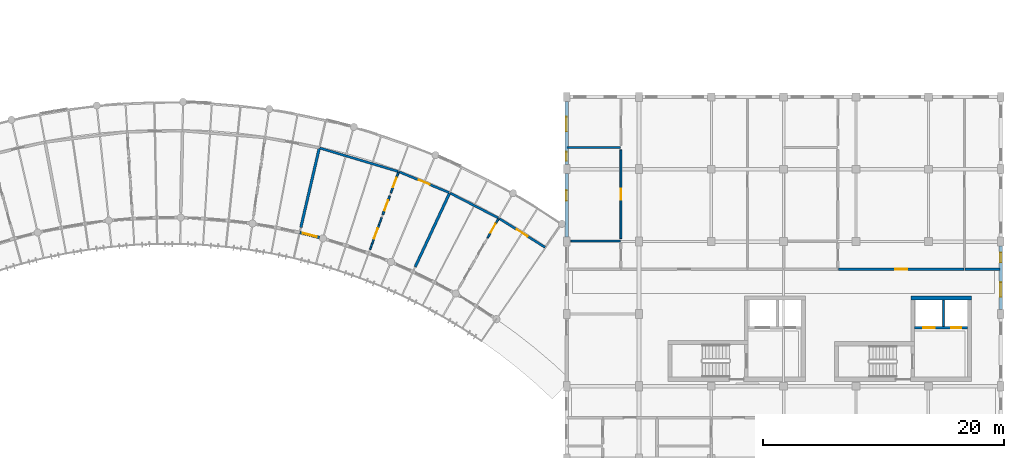
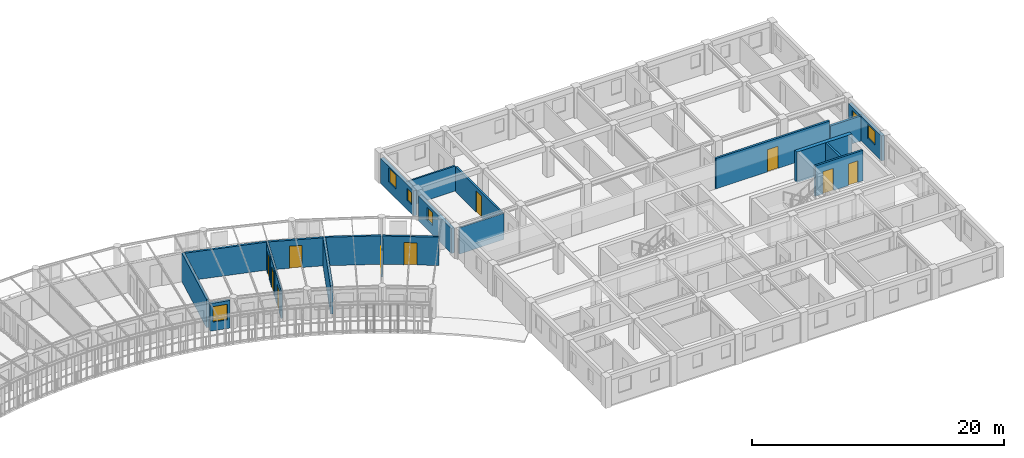
# One storey, part 80 of 100: 22 walls, 10 doors, 6 windows, 16 openings.
"""IFC4 building model written with IfcOpenShell, lengths in metres."""

from ifc_helpers import new_model, si_unit, direction, frame, frame_2d, origin, place, context, subcontext, project, spatial, rectangle, extrude, material, layer, layer_set, type_object, element, fill, save


model = new_model("IFC4")

# Units and contexts
model_context = context("Model", 3, precision=1e-05, world=origin(), true_north=direction((0.0, 1.0)))
body_context = subcontext(model_context, "Body", "Model", "MODEL_VIEW")
ifc_project = project(units=[si_unit("LENGTHUNIT", "METRE"), si_unit("AREAUNIT", "SQUARE_METRE"), si_unit("VOLUMEUNIT", "CUBIC_METRE"), si_unit("PLANEANGLEUNIT", "RADIAN"), si_unit("MASSUNIT", "GRAM", prefix="KILO"), si_unit("POWERUNIT", "WATT"), si_unit("THERMODYNAMICTEMPERATUREUNIT", "KELVIN")], contexts=[model_context])

# Site, building, storey
site_placement = place(None, origin())
site = spatial("IfcSite", under=ifc_project, at=site_placement, CompositionType="ELEMENT")
building_placement = place(site_placement, origin())
building = spatial("IfcBuilding", under=site, at=building_placement, Name="Ruvembo Vaulted Housing Court", CompositionType="ELEMENT")
storey_placement = place(building_placement, frame((0.0, 0.0, 14.10009765625)))
storey = spatial("IfcBuildingStorey", under=building, at=storey_placement, Name="L04", CompositionType="ELEMENT", Elevation=14.10009765625)

# Wall
ifc_material_1 = material(Name="Concrete C35/45", Category="concrete")
ifc_layer_1 = layer(ifc_material_1, 0.35009765625, Name="Concrete C35/45")
ifc_layer_set_1 = layer_set([ifc_layer_1], Name="Concrete C35/45")
wall_type_1 = type_object("IfcWallType", Name="WL-CORE-350", PredefinedType="SHEAR", material=ifc_layer_set_1)
wall_1_placement = place(storey_placement, frame((183.60009765625, 91.324951171875, 0.0), z_axis=(0.0, 0.0, 1.0), x_axis=(-1.0, 0.0, 0.0)))
element("IfcWall", 1, at=wall_1_placement, inside=storey, type_object=wall_type_1, Name="Core D2 L04 North Shear Wall", PredefinedType="SHEAR", context=body_context, shape_type="SweptSolid", body=[
    extrude(rectangle(XDim=5.050048828125, YDim=0.35009765625, at=frame_2d((2.52490234375, 0.0))), origin(), (0.0, 0.0, 1.0), 2.949951171875),
])

# Wall, opening, door
ifc_material_2 = material(Name="Concrete Blockwork 190", Category="masonry")
ifc_layer_2 = layer(ifc_material_2, 0.18994140625, Name="Concrete Blockwork 190")
ifc_layer_set_2 = layer_set([ifc_layer_2], Name="Concrete Blockwork 190")
wall_type_2 = type_object("IfcWallType", Name="WL-CORR-190", PredefinedType="SOLIDWALL", material=ifc_layer_set_2)
wall_2_placement = place(storey_placement, frame((172.5400390625, 93.699951171875, 0.0), z_axis=(0.0, 0.0, 1.0), x_axis=(1.0, 0.0, 0.0)))
wall_2 = element("IfcWall", 2, at=wall_2_placement, inside=storey, type_object=wall_type_2, Name="L04 Flat D-L04-N2 Entrance WL-INT-L04-01279", PredefinedType="SOLIDWALL", context=body_context, shape_type="SweptSolid", body=[
    extrude(rectangle(XDim=10.419921875, YDim=0.18994140625, at=frame_2d((5.2099609375, 0.0))), origin(), (0.0, 0.0, 1.0), 2.949951171875),
])
opening_1_placement = place(wall_2_placement, frame((4.7099609375, 0.0, 0.0)))
opening_1 = element("IfcOpeningElement", 3, at=opening_1_placement, cuts=wall_2, Name="Opening FD1", PredefinedType="OPENING", context=body_context, shape_type="SweptSolid", body=[
    extrude(rectangle(XDim=1.0, YDim=2.14990234375, at=frame_2d((0.5, 1.074951171875))), frame((0.0, 0.10498046875, 0.0), z_axis=(0.0, -1.0, 0.0), x_axis=(1.0, 0.0, 0.0)), (0.0, 0.0, 1.0), 0.2099609375),
])
ifc_material_3 = material(Name="FSC Hardwood and Engineered Timber", Category="wood")
door_type_1 = type_object("IfcDoorType", Name="DR-FLAT-1000x2150", OperationType="NOTDEFINED", PredefinedType="DOOR", material=ifc_material_3)
door_1_placement = place(opening_1_placement, origin())
door_1 = element("IfcDoor", 4, at=door_1_placement, inside=storey, type_object=door_type_1, Name="L04 Flat D-L04-N2 Entrance Door DR-INT-L04-00711", OperationType="SINGLE_SWING_LEFT", OverallHeight=2.14990234375, OverallWidth=1.0, PredefinedType="DOOR", context=body_context, shape_type="SweptSolid", body=[
    extrude(rectangle(XDim=1.0, YDim=2.14990234375, at=frame_2d((0.5, 1.074951171875))), frame((0.0, 0.02490234375, 0.0), z_axis=(0.0, -1.0, 0.0), x_axis=(1.0, 0.0, 0.0)), (0.0, 0.0, 1.0), 0.050048828125),
])
fill(opening_1, door_1)

# Walls
wall_3_placement = place(storey_placement, frame((183.0400390625, 93.699951171875, 0.0), z_axis=(0.0, 0.0, 1.0), x_axis=(1.0, 0.0, 0.0)))
element("IfcWall", 5, at=wall_3_placement, inside=storey, type_object=wall_type_2, Name="L04 Flat D-L04-N2 Corridor Wall 2 WL-INT-L04-01285", PredefinedType="SOLIDWALL", context=body_context, shape_type="SweptSolid", body=[
    extrude(rectangle(XDim=2.919921875, YDim=0.18994140625, at=frame_2d((1.4599609375, 0.0))), origin(), (0.0, 0.0, 1.0), 2.431884765625),
])
wall_4_placement = place(storey_placement, frame((129.53173828125, 103.756103515625, 0.0), z_axis=(0.0, 0.0, 1.0), x_axis=(0.958078275652, -0.286506575357, 0.0)))
element("IfcWall", 6, at=wall_4_placement, inside=storey, type_object=wall_type_2, Name="L04 Suite SC3-L04-U5 Gallery Wall WL-INT-L04-01369", PredefinedType="SOLIDWALL", context=body_context, shape_type="SweptSolid", body=[
    extrude(rectangle(XDim=6.789794921875, YDim=0.18994140625, at=frame_2d((3.39501953125, 0.0))), origin(), (0.0, 0.0, 1.0), 2.721923828125),
])

# Wall, opening, door
wall_5_placement = place(storey_placement, frame((136.112060546875, 101.783935546875, 0.0), z_axis=(0.0, 0.0, 1.0), x_axis=(0.923267760269, -0.384157054925, 0.0)))
wall_5 = element("IfcWall", 7, at=wall_5_placement, inside=storey, type_object=wall_type_2, Name="L04 Suite SC3-L04-U5 Entrance WL-INT-L04-01370", PredefinedType="SOLIDWALL", context=body_context, shape_type="SweptSolid", body=[
    extrude(rectangle(XDim=4.50146484375, YDim=0.18994140625, at=frame_2d((2.250732421875, 0.0))), origin(), (0.0, 0.0, 1.0), 2.721923828125),
])
opening_2_placement = place(wall_5_placement, frame((1.7607421875, 0.0, 0.0)))
opening_2 = element("IfcOpeningElement", 8, at=opening_2_placement, cuts=wall_5, Name="Opening FD2", PredefinedType="OPENING", context=body_context, shape_type="SweptSolid", body=[
    extrude(rectangle(XDim=0.97998046875, YDim=2.14990234375, at=frame_2d((0.489990234375, 1.074951171875))), frame((0.0, 0.10498046875, 0.0), z_axis=(0.0, -1.0, 0.0), x_axis=(1.0, 0.0, 0.0)), (0.0, 0.0, 1.0), 0.2099609375),
])
door_type_2 = type_object("IfcDoorType", Name="DR-FLAT-0980x2150", OperationType="NOTDEFINED", PredefinedType="DOOR", material=ifc_material_3)
door_2_placement = place(opening_2_placement, origin())
door_2 = element("IfcDoor", 9, at=door_2_placement, inside=storey, type_object=door_type_2, Name="L04 Suite SC3-L04-U5 Entrance Door DR-INT-L04-00772", OperationType="SINGLE_SWING_RIGHT", OverallHeight=2.14990234375, OverallWidth=0.97998046875, PredefinedType="DOOR", context=body_context, shape_type="SweptSolid", body=[
    extrude(rectangle(XDim=0.97998046875, YDim=2.14990234375, at=frame_2d((0.489990234375, 1.074951171875))), frame((0.0, 0.02490234375, 0.0), z_axis=(0.0, -1.0, 0.0), x_axis=(1.0, 0.0, 0.0)), (0.0, 0.0, 1.0), 0.050048828125),
])
fill(opening_2, door_2)

# Wall
wall_6_placement = place(storey_placement, frame((140.34033203125, 100.020751953125, 0.0), z_axis=(0.0, 0.0, 1.0), x_axis=(0.888214590482, -0.459428820662, 0.0)))
element("IfcWall", 10, at=wall_6_placement, inside=storey, type_object=wall_type_2, Name="L04 Suite SC3-L04-U6 Gallery Wall WL-INT-L04-01375", PredefinedType="SOLIDWALL", context=body_context, shape_type="SweptSolid", body=[
    extrude(rectangle(XDim=4.50146484375, YDim=0.18994140625, at=frame_2d((2.250732421875, 0.0))), origin(), (0.0, 0.0, 1.0), 2.761962890625),
])

# Wall, opening, door
wall_7_placement = place(storey_placement, frame((144.408203125, 97.9130859375, 0.0), z_axis=(0.0, 0.0, 1.0), x_axis=(0.847037081085, -0.531533802563, 0.0)))
wall_7 = element("IfcWall", 11, at=wall_7_placement, inside=storey, type_object=wall_type_2, Name="L04 Suite SC3-L04-U6 Entrance WL-INT-L04-01376", PredefinedType="SOLIDWALL", context=body_context, shape_type="SweptSolid", body=[
    extrude(rectangle(XDim=4.501220703125, YDim=0.18994140625, at=frame_2d((2.25048828125, 0.0))), origin(), (0.0, 0.0, 1.0), 2.741943359375),
])
opening_3_placement = place(wall_7_placement, frame((1.7255859375, 0.0, 0.0)))
opening_3 = element("IfcOpeningElement", 12, at=opening_3_placement, cuts=wall_7, Name="Opening FD3", PredefinedType="OPENING", context=body_context, shape_type="SweptSolid", body=[
    extrude(rectangle(XDim=1.050048828125, YDim=2.14990234375, at=frame_2d((0.52490234375, 1.074951171875))), frame((0.0, 0.10498046875, 0.0), z_axis=(0.0, -1.0, 0.0), x_axis=(1.0, 0.0, 0.0)), (0.0, 0.0, 1.0), 0.2099609375),
])
door_type_3 = type_object("IfcDoorType", Name="DR-FLAT-1050x2150", OperationType="NOTDEFINED", PredefinedType="DOOR", material=ifc_material_3)
door_3_placement = place(opening_3_placement, origin())
door_3 = element("IfcDoor", 13, at=door_3_placement, inside=storey, type_object=door_type_3, Name="L04 Suite SC3-L04-U6 Entrance Door DR-INT-L04-00776", OperationType="SINGLE_SWING_RIGHT", OverallHeight=2.14990234375, OverallWidth=1.050048828125, PredefinedType="DOOR", context=body_context, shape_type="SweptSolid", body=[
    extrude(rectangle(XDim=1.050048828125, YDim=2.14990234375, at=frame_2d((0.52490234375, 1.074951171875))), frame((0.0, 0.02490234375, 0.0), z_axis=(0.0, -1.0, 0.0), x_axis=(1.0, 0.0, 0.0)), (0.0, 0.0, 1.0), 0.050048828125),
])
fill(opening_3, door_3)

# Walls
ifc_material_4 = material(Name="Acoustic Masonry Demising 220", Category="masonry")
ifc_layer_3 = layer(ifc_material_4, 0.219970703125, Name="Acoustic Masonry Demising 220")
ifc_layer_set_3 = layer_set([ifc_layer_3], Name="Acoustic Masonry Demising 220")
wall_type_3 = type_object("IfcWallType", Name="WL-DEM-200", PredefinedType="SOLIDWALL", material=ifc_layer_set_3)
wall_8_placement = place(storey_placement, frame((127.959716796875, 97.16748046875, 0.0), z_axis=(0.0, 0.0, 1.0), x_axis=(0.226349561734, 0.974046136434, 0.0)))
element("IfcWall", 14, at=wall_8_placement, inside=storey, type_object=wall_type_3, Name="L04 Suite SC3-L04-U4 Demising WL-INT-L04-01368", PredefinedType="SOLIDWALL", context=body_context, shape_type="SweptSolid", body=[
    extrude(rectangle(XDim=6.73583984375, YDim=0.219970703125, at=frame_2d((3.367919921875, 0.0))), origin(), (0.0, 0.0, 1.0), 2.761962890625),
])
wall_9_placement = place(storey_placement, frame((137.444091796875, 93.896728515625, 0.0), z_axis=(0.0, 0.0, 1.0), x_axis=(0.422206763189, 0.906499558256, 0.0)))
element("IfcWall", 15, at=wall_9_placement, inside=storey, type_object=wall_type_3, Name="L04 Suite SC3-L04-U5 Demising WL-INT-L04-01374", PredefinedType="SOLIDWALL", context=body_context, shape_type="SweptSolid", body=[
    extrude(rectangle(XDim=6.736083984375, YDim=0.219970703125, at=frame_2d((3.3681640625, 0.0))), origin(), (0.0, 0.0, 1.0), 2.741943359375),
])

# Wall, opening, window
ifc_material_5 = material(Name="Rendered Masonry 235", Category="masonry")
ifc_layer_4 = layer(ifc_material_5, 0.235107421875, Name="Rendered Masonry 235")
ifc_layer_set_4 = layer_set([ifc_layer_4], Name="Rendered Masonry 235")
wall_type_4 = type_object("IfcWallType", Name="WL-EXT-235", PredefinedType="STANDARD", material=ifc_layer_set_4)
wall_10_placement = place(storey_placement, frame((127.88330078125, 96.74951171875, 0.0), z_axis=(0.0, 0.0, 1.0), x_axis=(0.969120648535, -0.246587040581, 0.0)))
wall_10 = element("IfcWall", 16, at=wall_10_placement, inside=storey, type_object=wall_type_4, Name="Scoop SC3 L04 Concave Balcony Wall 20", PredefinedType="STANDARD", context=body_context, shape_type="SweptSolid", body=[
    extrude(rectangle(XDim=1.67236328125, YDim=0.235107421875, at=frame_2d((0.836181640625, 0.0))), origin(), (0.0, 0.0, 1.0), 2.683837890625),
])
opening_4_placement = place(wall_10_placement, frame((0.236083984375, 0.0, 0.85009765625)))
opening_4 = element("IfcOpeningElement", 17, at=opening_4_placement, cuts=wall_10, Name="Opening W14", PredefinedType="OPENING", context=body_context, shape_type="SweptSolid", body=[
    extrude(rectangle(XDim=1.199951171875, YDim=1.5, at=frame_2d((0.60009765625, 0.75))), frame((0.0, 0.12744140625, 0.0), z_axis=(0.0, -1.0, 0.0), x_axis=(1.0, 0.0, 0.0)), (0.0, 0.0, 1.0), 0.255126953125),
])
ifc_material_6 = material(Name="Double Solar-Control Glazing in Aluminium Frame", Category="aluminium")
window_type_1 = type_object("IfcWindowType", Name="WIN-1200x1500", PartitioningType="SINGLE_PANEL", PredefinedType="WINDOW", material=ifc_material_6)
window_1_placement = place(opening_4_placement, origin())
window_1 = element("IfcWindow", 18, at=window_1_placement, inside=storey, type_object=window_type_1, Name="Scoop SC3 L04 Concave Window 20", OverallHeight=1.5, OverallWidth=1.199951171875, PartitioningType="SINGLE_PANEL", PredefinedType="WINDOW", context=body_context, shape_type="SweptSolid", body=[
    extrude(rectangle(XDim=1.199951171875, YDim=1.5, at=frame_2d((0.60009765625, 0.75))), frame((0.0, 0.030029296875, 0.0), z_axis=(0.0, -1.0, 0.0), x_axis=(1.0, 0.0, 0.0)), (0.0, 0.0, 1.0), 0.06005859375),
])
fill(opening_4, window_1)

# Wall, openings, windows
ifc_material_7 = material(Name="Rendered Masonry 285", Category="masonry")
ifc_layer_5 = layer(ifc_material_7, 0.284912109375, Name="Rendered Masonry 285")
ifc_layer_set_5 = layer_set([ifc_layer_5], Name="Rendered Masonry 285")
wall_type_5 = type_object("IfcWallType", Name="WL-EXT-285", PredefinedType="STANDARD", material=ifc_layer_set_5)
wall_11_placement = place(storey_placement, frame((186.0, 90.375, 0.0), z_axis=(0.0, 0.0, 1.0), x_axis=(0.0, 1.0, 0.0)))
wall_11 = element("IfcWall", 19, at=wall_11_placement, inside=storey, type_object=wall_type_5, Name="Block D L04 Exterior Wall EAST #4", PredefinedType="STANDARD", context=body_context, shape_type="SweptSolid", body=[
    extrude(rectangle(XDim=5.25, YDim=0.284912109375, at=frame_2d((2.625, 0.0))), origin(), (0.0, 0.0, 1.0), 2.431884765625),
])
opening_5_placement = place(wall_11_placement, frame((1.04248046875, 0.0, 0.89990234375)))
opening_5 = element("IfcOpeningElement", 20, at=opening_5_placement, cuts=wall_11, Name="Opening W12", PredefinedType="OPENING", context=body_context, shape_type="SweptSolid", body=[
    extrude(rectangle(XDim=1.199951171875, YDim=1.35009765625, at=frame_2d((0.60009765625, 0.675048828125))), frame((0.0, 0.15234375, 0.0), z_axis=(0.0, -1.0, 0.0), x_axis=(1.0, 0.0, 0.0)), (0.0, 0.0, 1.0), 0.304931640625),
])
opening_6_placement = place(wall_11_placement, frame((3.907470703125, 0.0, 0.89990234375)))
opening_6 = element("IfcOpeningElement", 21, at=opening_6_placement, cuts=wall_11, Name="Opening W02", PredefinedType="OPENING", context=body_context, shape_type="SweptSolid", body=[
    extrude(rectangle(XDim=0.800048828125, YDim=1.199951171875, at=frame_2d((0.39990234375, 0.60009765625))), frame((0.0, 0.15234375, 0.0), z_axis=(0.0, -1.0, 0.0), x_axis=(1.0, 0.0, 0.0)), (0.0, 0.0, 1.0), 0.304931640625),
])
window_type_2 = type_object("IfcWindowType", Name="WIN-0800x1200", PartitioningType="SINGLE_PANEL", PredefinedType="WINDOW", material=ifc_material_6)
window_2_placement = place(opening_6_placement, origin())
window_2 = element("IfcWindow", 22, at=window_2_placement, inside=storey, type_object=window_type_2, Name="Block D L04 Window #1638", OverallHeight=1.199951171875, OverallWidth=0.800048828125, PartitioningType="SINGLE_PANEL", PredefinedType="WINDOW", context=body_context, shape_type="SweptSolid", body=[
    extrude(rectangle(XDim=0.800048828125, YDim=1.199951171875, at=frame_2d((0.39990234375, 0.60009765625))), frame((0.0, 0.030029296875, 0.0), z_axis=(0.0, -1.0, 0.0), x_axis=(1.0, 0.0, 0.0)), (0.0, 0.0, 1.0), 0.06005859375),
])
fill(opening_6, window_2)
window_type_3 = type_object("IfcWindowType", Name="WIN-1200x1350", PartitioningType="SINGLE_PANEL", PredefinedType="WINDOW", material=ifc_material_6)
window_3_placement = place(opening_5_placement, origin())
window_3 = element("IfcWindow", 23, at=window_3_placement, inside=storey, type_object=window_type_3, Name="Block D L04 Window #1637", OverallHeight=1.35009765625, OverallWidth=1.199951171875, PartitioningType="SINGLE_PANEL", PredefinedType="WINDOW", context=body_context, shape_type="SweptSolid", body=[
    extrude(rectangle(XDim=1.199951171875, YDim=1.35009765625, at=frame_2d((0.60009765625, 0.675048828125))), frame((0.0, 0.030029296875, 0.0), z_axis=(0.0, -1.0, 0.0), x_axis=(1.0, 0.0, 0.0)), (0.0, 0.0, 1.0), 0.06005859375),
])
fill(opening_5, window_3)

wall_12_placement = place(storey_placement, frame((150.0, 107.625, 0.0), z_axis=(0.0, 0.0, 1.0), x_axis=(0.0, -1.0, 0.0)))
wall_12 = element("IfcWall", 24, at=wall_12_placement, inside=storey, type_object=wall_type_5, Name="Block D L04 Exterior Wall WEST #1", PredefinedType="STANDARD", context=body_context, shape_type="SweptSolid", body=[
    extrude(rectangle(XDim=5.25, YDim=0.284912109375, at=frame_2d((2.625, 0.0))), origin(), (0.0, 0.0, 1.0), 2.431884765625),
])
opening_7_placement = place(wall_12_placement, frame((1.29248046875, 0.0, 0.89990234375)))
opening_7 = element("IfcOpeningElement", 25, at=opening_7_placement, cuts=wall_12, Name="Opening W12", PredefinedType="OPENING", context=body_context, shape_type="SweptSolid", body=[
    extrude(rectangle(XDim=1.199951171875, YDim=1.35009765625, at=frame_2d((0.60009765625, 0.675048828125))), frame((0.0, 0.15234375, 0.0), z_axis=(0.0, -1.0, 0.0), x_axis=(1.0, 0.0, 0.0)), (0.0, 0.0, 1.0), 0.304931640625),
])
opening_8_placement = place(wall_12_placement, frame((4.1826171875, 0.0, 0.89990234375)))
opening_8 = element("IfcOpeningElement", 26, at=opening_8_placement, cuts=wall_12, Name="Opening W01", PredefinedType="OPENING", context=body_context, shape_type="SweptSolid", body=[
    extrude(rectangle(XDim=0.75, YDim=1.14990234375, at=frame_2d((0.375, 0.574951171875))), frame((0.0, 0.15234375, 0.0), z_axis=(0.0, -1.0, 0.0), x_axis=(1.0, 0.0, 0.0)), (0.0, 0.0, 1.0), 0.304931640625),
])
window_type_4 = type_object("IfcWindowType", Name="WIN-0750x1150", PartitioningType="SINGLE_PANEL", PredefinedType="WINDOW", material=ifc_material_6)
window_4_placement = place(opening_8_placement, origin())
window_4 = element("IfcWindow", 27, at=window_4_placement, inside=storey, type_object=window_type_4, Name="Block D L04 Window #1656", OverallHeight=1.14990234375, OverallWidth=0.75, PartitioningType="SINGLE_PANEL", PredefinedType="WINDOW", context=body_context, shape_type="SweptSolid", body=[
    extrude(rectangle(XDim=0.75, YDim=1.14990234375, at=frame_2d((0.375, 0.574951171875))), frame((0.0, 0.030029296875, 0.0), z_axis=(0.0, -1.0, 0.0), x_axis=(1.0, 0.0, 0.0)), (0.0, 0.0, 1.0), 0.06005859375),
])
fill(opening_8, window_4)
window_5_placement = place(opening_7_placement, origin())
window_5 = element("IfcWindow", 28, at=window_5_placement, inside=storey, type_object=window_type_3, Name="Block D L04 Window #1655", OverallHeight=1.35009765625, OverallWidth=1.199951171875, PartitioningType="SINGLE_PANEL", PredefinedType="WINDOW", context=body_context, shape_type="SweptSolid", body=[
    extrude(rectangle(XDim=1.199951171875, YDim=1.35009765625, at=frame_2d((0.60009765625, 0.675048828125))), frame((0.0, 0.030029296875, 0.0), z_axis=(0.0, -1.0, 0.0), x_axis=(1.0, 0.0, 0.0)), (0.0, 0.0, 1.0), 0.06005859375),
])
fill(opening_7, window_5)

# Wall, opening, window
wall_13_placement = place(storey_placement, frame((150.0, 101.625, 0.0), z_axis=(0.0, 0.0, 1.0), x_axis=(0.0, -1.0, 0.0)))
wall_13 = element("IfcWall", 29, at=wall_13_placement, inside=storey, type_object=wall_type_5, Name="Block D L04 Exterior Wall WEST #2", PredefinedType="STANDARD", context=body_context, shape_type="SweptSolid", body=[
    extrude(rectangle(XDim=5.25, YDim=0.284912109375, at=frame_2d((2.625, 0.0))), origin(), (0.0, 0.0, 1.0), 2.431884765625),
])
opening_9_placement = place(wall_13_placement, frame((1.388916015625, 0.0, 0.89990234375)))
opening_9 = element("IfcOpeningElement", 30, at=opening_9_placement, cuts=wall_13, Name="Opening W03", PredefinedType="OPENING", context=body_context, shape_type="SweptSolid", body=[
    extrude(rectangle(XDim=0.85009765625, YDim=1.25, at=frame_2d((0.425048828125, 0.625))), frame((0.0, 0.15234375, 0.0), z_axis=(0.0, -1.0, 0.0), x_axis=(1.0, 0.0, 0.0)), (0.0, 0.0, 1.0), 0.304931640625),
])
window_type_5 = type_object("IfcWindowType", Name="WIN-0850x1250", PartitioningType="SINGLE_PANEL", PredefinedType="WINDOW", material=ifc_material_6)
window_6_placement = place(opening_9_placement, origin())
window_6 = element("IfcWindow", 31, at=window_6_placement, inside=storey, type_object=window_type_5, Name="Block D L04 Window #1657", OverallHeight=1.25, OverallWidth=0.85009765625, PartitioningType="SINGLE_PANEL", PredefinedType="WINDOW", context=body_context, shape_type="SweptSolid", body=[
    extrude(rectangle(XDim=0.85009765625, YDim=1.25, at=frame_2d((0.425048828125, 0.625))), frame((0.0, 0.030029296875, 0.0), z_axis=(0.0, -1.0, 0.0), x_axis=(1.0, 0.0, 0.0)), (0.0, 0.0, 1.0), 0.06005859375),
])
fill(opening_9, window_6)

# Wall, opening, door
ifc_material_8 = material(Name="Acoustic Stud Partition 135", Category="gypsum")
ifc_layer_6 = layer(ifc_material_8, 0.135009765625, Name="Acoustic Stud Partition 135")
ifc_layer_set_6 = layer_set([ifc_layer_6], Name="Acoustic Stud Partition 135")
wall_type_6 = type_object("IfcWallType", Name="WL-PART-135", PredefinedType="PARTITIONING", material=ifc_layer_set_6)
wall_14_placement = place(storey_placement, frame((133.700439453125, 95.350830078125, 0.0), z_axis=(0.0, 0.0, 1.0), x_axis=(0.345555846023, 0.938398186954, 0.0)))
wall_14 = element("IfcWall", 32, at=wall_14_placement, inside=storey, type_object=wall_type_6, Name="L04 Suite SC3-L04-U5 Bedroom WL-INT-L04-01371", PredefinedType="PARTITIONING", context=body_context, shape_type="SweptSolid", body=[
    extrude(rectangle(XDim=2.7998046875, YDim=0.135009765625, at=frame_2d((1.39990234375, 0.0))), origin(), (0.0, 0.0, 1.0), 2.761962890625),
])
opening_10_placement = place(wall_14_placement, frame((0.9599609375, 0.0, 0.0)))
opening_10 = element("IfcOpeningElement", 33, at=opening_10_placement, cuts=wall_14, Name="Opening ID3", PredefinedType="OPENING", context=body_context, shape_type="SweptSolid", body=[
    extrude(rectangle(XDim=0.8798828125, YDim=2.10009765625, at=frame_2d((0.43994140625, 1.050048828125))), frame((0.0, 0.077392578125, 0.0), z_axis=(0.0, -1.0, 0.0), x_axis=(1.0, 0.0, 0.0)), (0.0, 0.0, 1.0), 0.155029296875),
])
door_type_4 = type_object("IfcDoorType", Name="DR-ROOM-0880x2100", OperationType="NOTDEFINED", PredefinedType="DOOR", material=ifc_material_3)
door_4_placement = place(opening_10_placement, origin())
door_4 = element("IfcDoor", 34, at=door_4_placement, inside=storey, type_object=door_type_4, Name="L04 Suite SC3-L04-U5 Bedroom Door DR-INT-L04-00773", OperationType="SINGLE_SWING_LEFT", OverallHeight=2.10009765625, OverallWidth=0.8798828125, PredefinedType="DOOR", context=body_context, shape_type="SweptSolid", body=[
    extrude(rectangle(XDim=0.8798828125, YDim=2.10009765625, at=frame_2d((0.43994140625, 1.050048828125))), frame((0.0, 0.02490234375, 0.0), z_axis=(0.0, -1.0, 0.0), x_axis=(1.0, 0.0, 0.0)), (0.0, 0.0, 1.0), 0.050048828125),
])
fill(opening_10, door_4)

# Walls
ifc_material_9 = material(Name="Moisture-Resistant Wet Partition 150", Category="gypsum")
ifc_layer_7 = layer(ifc_material_9, 0.14990234375, Name="Moisture-Resistant Wet Partition 150")
ifc_layer_set_7 = layer_set([ifc_layer_7], Name="Moisture-Resistant Wet Partition 150")
wall_type_7 = type_object("IfcWallType", Name="WL-PART-150", PredefinedType="PARTITIONING", material=ifc_layer_set_7)
wall_15_placement = place(storey_placement, frame((150.0400390625, 103.800048828125, 0.0), z_axis=(0.0, 0.0, 1.0), x_axis=(1.0, 0.0, 0.0)))
element("IfcWall", 35, at=wall_15_placement, inside=storey, type_object=wall_type_7, Name="L04 Flat D-L04-N1 Wet Wall 1 WL-INT-L04-01274", PredefinedType="PARTITIONING", context=body_context, shape_type="SweptSolid", body=[
    extrude(rectangle(XDim=4.419921875, YDim=0.14990234375, at=frame_2d((2.2099609375, 0.0))), origin(), (0.0, 0.0, 1.0), 2.431884765625),
])
wall_16_placement = place(storey_placement, frame((150.360107421875, 96.050048828125, 0.0), z_axis=(0.0, 0.0, 1.0), x_axis=(1.0, 0.0, 0.0)))
element("IfcWall", 36, at=wall_16_placement, inside=storey, type_object=wall_type_7, Name="L04 Flat D-L04-N1 Wet Wall 2 WL-INT-L04-01275", PredefinedType="PARTITIONING", context=body_context, shape_type="SweptSolid", body=[
    extrude(rectangle(XDim=4.099853515625, YDim=0.14990234375, at=frame_2d((2.0498046875, 0.0))), origin(), (0.0, 0.0, 1.0), 2.5478515625),
])

# Wall, opening, door
wall_17_placement = place(storey_placement, frame((135.425537109375, 100.03515625, 0.0), z_axis=(0.0, 0.0, 1.0), x_axis=(0.345490154584, 0.938422374566, 0.0)))
wall_17 = element("IfcWall", 37, at=wall_17_placement, inside=storey, type_object=wall_type_7, Name="L04 Suite SC3-L04-U5 Bathroom WL-INT-L04-01373", PredefinedType="PARTITIONING", context=body_context, shape_type="SweptSolid", body=[
    extrude(rectangle(XDim=1.840087890625, YDim=0.14990234375, at=frame_2d((0.919921875, 0.0))), origin(), (0.0, 0.0, 1.0), 2.761962890625),
])
opening_11_placement = place(wall_17_placement, frame((0.4951171875, 0.0, 0.0)))
opening_11 = element("IfcOpeningElement", 38, at=opening_11_placement, cuts=wall_17, Name="Opening ID2", PredefinedType="OPENING", context=body_context, shape_type="SweptSolid", body=[
    extrude(rectangle(XDim=0.85009765625, YDim=2.10009765625, at=frame_2d((0.425048828125, 1.050048828125))), frame((0.0, 0.0849609375, 0.0), z_axis=(0.0, -1.0, 0.0), x_axis=(1.0, 0.0, 0.0)), (0.0, 0.0, 1.0), 0.169921875),
])
door_type_5 = type_object("IfcDoorType", Name="DR-WET-0850x2100", OperationType="NOTDEFINED", PredefinedType="DOOR", material=ifc_material_3)
door_5_placement = place(opening_11_placement, origin())
door_5 = element("IfcDoor", 39, at=door_5_placement, inside=storey, type_object=door_type_5, Name="L04 Suite SC3-L04-U5 Bathroom Door DR-INT-L04-00775", OperationType="SINGLE_SWING_LEFT", OverallHeight=2.10009765625, OverallWidth=0.85009765625, PredefinedType="DOOR", context=body_context, shape_type="SweptSolid", body=[
    extrude(rectangle(XDim=0.85009765625, YDim=2.10009765625, at=frame_2d((0.425048828125, 1.050048828125))), frame((0.0, 0.02490234375, 0.0), z_axis=(0.0, -1.0, 0.0), x_axis=(1.0, 0.0, 0.0)), (0.0, 0.0, 1.0), 0.050048828125),
])
fill(opening_11, door_5)

wall_18_placement = place(storey_placement, frame((143.44189453125, 96.3017578125, 0.0), z_axis=(0.0, 0.0, 1.0), x_axis=(0.495938892217, 0.868357423638, 0.0)))
wall_18 = element("IfcWall", 40, at=wall_18_placement, inside=storey, type_object=wall_type_7, Name="L04 Suite SC3-L04-U6 Bathroom WL-INT-L04-01379", PredefinedType="PARTITIONING", context=body_context, shape_type="SweptSolid", body=[
    extrude(rectangle(XDim=1.840087890625, YDim=0.14990234375, at=frame_2d((0.919921875, 0.0))), origin(), (0.0, 0.0, 1.0), 2.721923828125),
])
opening_12_placement = place(wall_18_placement, frame((0.4951171875, 0.0, 0.0)))
opening_12 = element("IfcOpeningElement", 41, at=opening_12_placement, cuts=wall_18, Name="Opening ID2", PredefinedType="OPENING", context=body_context, shape_type="SweptSolid", body=[
    extrude(rectangle(XDim=0.85009765625, YDim=2.10009765625, at=frame_2d((0.425048828125, 1.050048828125))), frame((0.0, 0.0849609375, 0.0), z_axis=(0.0, -1.0, 0.0), x_axis=(1.0, 0.0, 0.0)), (0.0, 0.0, 1.0), 0.169921875),
])
door_6_placement = place(opening_12_placement, origin())
door_6 = element("IfcDoor", 42, at=door_6_placement, inside=storey, type_object=door_type_5, Name="L04 Suite SC3-L04-U6 Bathroom Door DR-INT-L04-00779", OperationType="SINGLE_SWING_LEFT", OverallHeight=2.10009765625, OverallWidth=0.85009765625, PredefinedType="DOOR", context=body_context, shape_type="SweptSolid", body=[
    extrude(rectangle(XDim=0.85009765625, YDim=2.10009765625, at=frame_2d((0.425048828125, 1.050048828125))), frame((0.0, 0.02490234375, 0.0), z_axis=(0.0, -1.0, 0.0), x_axis=(1.0, 0.0, 0.0)), (0.0, 0.0, 1.0), 0.050048828125),
])
fill(opening_12, door_6)

ifc_material_10 = material(Name="Acoustic Service Chase Wall 160", Category="gypsum")
ifc_layer_8 = layer(ifc_material_10, 0.159912109375, Name="Acoustic Service Chase Wall 160")
ifc_layer_set_8 = layer_set([ifc_layer_8], Name="Acoustic Service Chase Wall 160")
wall_type_8 = type_object("IfcWallType", Name="WL-PLUMB-160", PredefinedType="PLUMBINGWALL", material=ifc_layer_set_8)
wall_19_placement = place(storey_placement, frame((154.5, 96.239990234375, 0.0), z_axis=(0.0, 0.0, 1.0), x_axis=(0.0, 1.0, 0.0)))
wall_19 = element("IfcWall", 43, at=wall_19_placement, inside=storey, type_object=wall_type_8, Name="L04 Flat D-L04-N1 Kitchen WL-INT-L04-01272", PredefinedType="PLUMBINGWALL", context=body_context, shape_type="SweptSolid", body=[
    extrude(rectangle(XDim=7.3701171875, YDim=0.159912109375, at=frame_2d((3.68505859375, 0.0))), origin(), (0.0, 0.0, 1.0), 2.431884765625),
])
opening_13_placement = place(wall_19_placement, frame((3.235107421875, 0.0, 0.0)))
opening_13 = element("IfcOpeningElement", 44, at=opening_13_placement, cuts=wall_19, Name="Opening ID1", PredefinedType="OPENING", context=body_context, shape_type="SweptSolid", body=[
    extrude(rectangle(XDim=0.89990234375, YDim=2.10009765625, at=frame_2d((0.449951171875, 1.050048828125))), frame((0.0, 0.08984375, 0.0), z_axis=(0.0, -1.0, 0.0), x_axis=(1.0, 0.0, 0.0)), (0.0, 0.0, 1.0), 0.179931640625),
])
door_type_6 = type_object("IfcDoorType", Name="DR-ROOM-0900x2100", OperationType="NOTDEFINED", PredefinedType="DOOR", material=ifc_material_3)
door_7_placement = place(opening_13_placement, origin())
door_7 = element("IfcDoor", 45, at=door_7_placement, inside=storey, type_object=door_type_6, Name="L04 Flat D-L04-N1 Kitchen Door DR-INT-L04-00708", OperationType="SINGLE_SWING_RIGHT", OverallHeight=2.10009765625, OverallWidth=0.89990234375, PredefinedType="DOOR", context=body_context, shape_type="SweptSolid", body=[
    extrude(rectangle(XDim=0.89990234375, YDim=2.10009765625, at=frame_2d((0.449951171875, 1.050048828125))), frame((0.0, 0.02490234375, 0.0), z_axis=(0.0, -1.0, 0.0), x_axis=(1.0, 0.0, 0.0)), (0.0, 0.0, 1.0), 0.050048828125),
])
fill(opening_13, door_7)

wall_20_placement = place(storey_placement, frame((134.761962890625, 98.2333984375, 0.0), z_axis=(0.0, 0.0, 1.0), x_axis=(0.345581795697, 0.938388630836, 0.0)))
wall_20 = element("IfcWall", 46, at=wall_20_placement, inside=storey, type_object=wall_type_8, Name="L04 Suite SC3-L04-U5 Kitchen WL-INT-L04-01372", PredefinedType="PLUMBINGWALL", context=body_context, shape_type="SweptSolid", body=[
    extrude(rectangle(XDim=1.648193359375, YDim=0.159912109375, at=frame_2d((0.82421875, 0.0))), origin(), (0.0, 0.0, 1.0), 2.761962890625),
])
opening_14_placement = place(wall_20_placement, frame((0.3740234375, 0.0, 0.0)))
opening_14 = element("IfcOpeningElement", 47, at=opening_14_placement, cuts=wall_20, Name="Opening ID1", PredefinedType="OPENING", context=body_context, shape_type="SweptSolid", body=[
    extrude(rectangle(XDim=0.89990234375, YDim=2.10009765625, at=frame_2d((0.449951171875, 1.050048828125))), frame((0.0, 0.08984375, 0.0), z_axis=(0.0, -1.0, 0.0), x_axis=(1.0, 0.0, 0.0)), (0.0, 0.0, 1.0), 0.179931640625),
])
door_8_placement = place(opening_14_placement, origin())
door_8 = element("IfcDoor", 48, at=door_8_placement, inside=storey, type_object=door_type_6, Name="L04 Suite SC3-L04-U5 Kitchen Door DR-INT-L04-00774", OperationType="SINGLE_SWING_RIGHT", OverallHeight=2.10009765625, OverallWidth=0.89990234375, PredefinedType="DOOR", context=body_context, shape_type="SweptSolid", body=[
    extrude(rectangle(XDim=0.89990234375, YDim=2.10009765625, at=frame_2d((0.449951171875, 1.050048828125))), frame((0.0, 0.02490234375, 0.0), z_axis=(0.0, -1.0, 0.0), x_axis=(1.0, 0.0, 0.0)), (0.0, 0.0, 1.0), 0.050048828125),
])
fill(opening_14, door_8)

# Wall, openings, doors
ifc_material_11 = material(Name="Fire-Rated Masonry Shaft 180", Category="masonry")
ifc_layer_9 = layer(ifc_material_11, 0.179931640625, Name="Fire-Rated Masonry Shaft 180")
ifc_layer_set_9 = layer_set([ifc_layer_9], Name="Fire-Rated Masonry Shaft 180")
wall_type_9 = type_object("IfcWallType", Name="WL-SHAFT-180", PredefinedType="SOLIDWALL", material=ifc_layer_set_9)
wall_21_placement = place(storey_placement, frame((178.85009765625, 88.85009765625, 0.0), z_axis=(0.0, 0.0, 1.0), x_axis=(1.0, 0.0, 0.0)))
wall_21 = element("IfcWall", 49, at=wall_21_placement, inside=storey, type_object=wall_type_9, Name="Core D2 L04 Lift and Riser Front Wall", PredefinedType="SOLIDWALL", context=body_context, shape_type="SweptSolid", body=[
    extrude(rectangle(XDim=4.39990234375, YDim=0.179931640625, at=frame_2d((2.199951171875, 0.0))), origin(), (0.0, 0.0, 1.0), 2.949951171875),
])
opening_15_placement = place(wall_21_placement, frame((0.72509765625, 0.0, 0.0)))
opening_15 = element("IfcOpeningElement", 50, at=opening_15_placement, cuts=wall_21, Name="Opening LD-LP-D2-L04", PredefinedType="OPENING", context=body_context, shape_type="SweptSolid", body=[
    extrude(rectangle(XDim=0.949951171875, YDim=2.14990234375, at=frame_2d((0.47509765625, 1.074951171875))), frame((0.0, 0.099853515625, 0.0), z_axis=(0.0, -1.0, 0.0), x_axis=(1.0, 0.0, 0.0)), (0.0, 0.0, 1.0), 0.199951171875),
])
opening_16_placement = place(wall_21_placement, frame((3.050048828125, 0.0, 0.0)))
opening_16 = element("IfcOpeningElement", 51, at=opening_16_placement, cuts=wall_21, Name="Opening RD1", PredefinedType="OPENING", context=body_context, shape_type="SweptSolid", body=[
    extrude(rectangle(XDim=0.85009765625, YDim=2.10009765625, at=frame_2d((0.425048828125, 1.050048828125))), frame((0.0, 0.099853515625, 0.0), z_axis=(0.0, -1.0, 0.0), x_axis=(1.0, 0.0, 0.0)), (0.0, 0.0, 1.0), 0.199951171875),
])
ifc_material_12 = material(Name="Brushed Stainless Steel 304", Category="steel")
door_type_7 = type_object("IfcDoorType", Name="DR-LIFT-0950x2150", OperationType="NOTDEFINED", PredefinedType="DOOR", material=ifc_material_12)
door_9_placement = place(opening_15_placement, origin())
door_9 = element("IfcDoor", 52, at=door_9_placement, inside=storey, type_object=door_type_7, Name="Lift LP-D2 L04 Sliding Landing Door", OperationType="SLIDING_TO_LEFT", OverallHeight=2.14990234375, OverallWidth=0.949951171875, PredefinedType="DOOR", context=body_context, shape_type="SweptSolid", body=[
    extrude(rectangle(XDim=0.949951171875, YDim=2.14990234375, at=frame_2d((0.47509765625, 1.074951171875))), frame((0.0, 0.02490234375, 0.0), z_axis=(0.0, -1.0, 0.0), x_axis=(1.0, 0.0, 0.0)), (0.0, 0.0, 1.0), 0.050048828125),
])
fill(opening_15, door_9)
ifc_material_13 = material(Name="Galvanised Painted Steel", Category="steel")
door_type_8 = type_object("IfcDoorType", Name="DR-RISER-0850x2100", OperationType="NOTDEFINED", PredefinedType="DOOR", material=ifc_material_13)
door_10_placement = place(opening_16_placement, frame((0.85009765625, 0.0, 0.0), z_axis=(0.0, 0.0, 1.0), x_axis=(-1.0, 0.0, 0.0)))
door_10 = element("IfcDoor", 53, at=door_10_placement, inside=storey, type_object=door_type_8, Name="Core D2 L04 Service Riser Door", OperationType="SINGLE_SWING_RIGHT", OverallHeight=2.10009765625, OverallWidth=0.85009765625, PredefinedType="DOOR", context=body_context, shape_type="SweptSolid", body=[
    extrude(rectangle(XDim=0.85009765625, YDim=2.10009765625, at=frame_2d((0.425048828125, 1.050048828125))), frame((0.0, 0.02490234375, 0.0), z_axis=(0.0, -1.0, 0.0), x_axis=(1.0, 0.0, 0.0)), (0.0, 0.0, 1.0), 0.050048828125),
])
fill(opening_16, door_10)

# Wall
wall_22_placement = place(storey_placement, frame((181.27001953125, 88.93994140625, 0.0), z_axis=(0.0, 0.0, 1.0), x_axis=(0.0, 1.0, 0.0)))
element("IfcWall", 54, at=wall_22_placement, inside=storey, type_object=wall_type_9, Name="Core D2 L04 Shaft-Riser Divider Wall", PredefinedType="SOLIDWALL", context=body_context, shape_type="SweptSolid", body=[
    extrude(rectangle(XDim=2.2099609375, YDim=0.179931640625, at=frame_2d((1.10498046875, 0.0))), origin(), (0.0, 0.0, 1.0), 2.949951171875),
])

save(model, "model.ifc")
